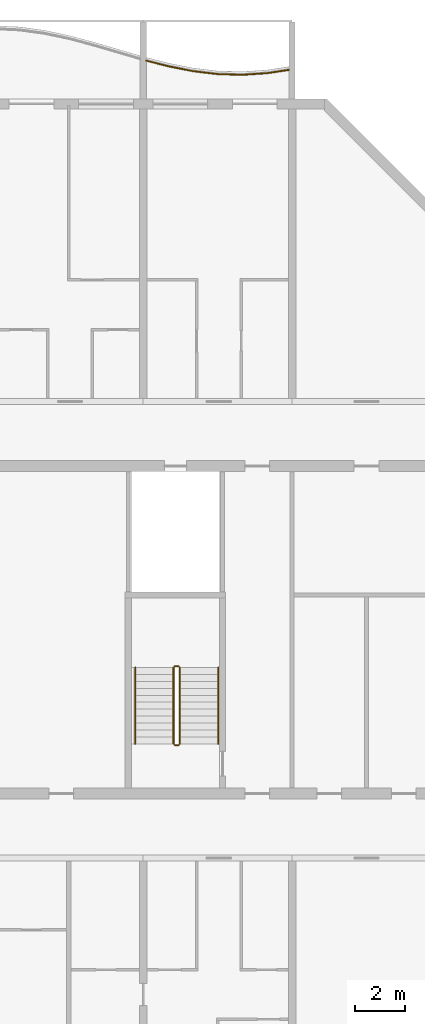
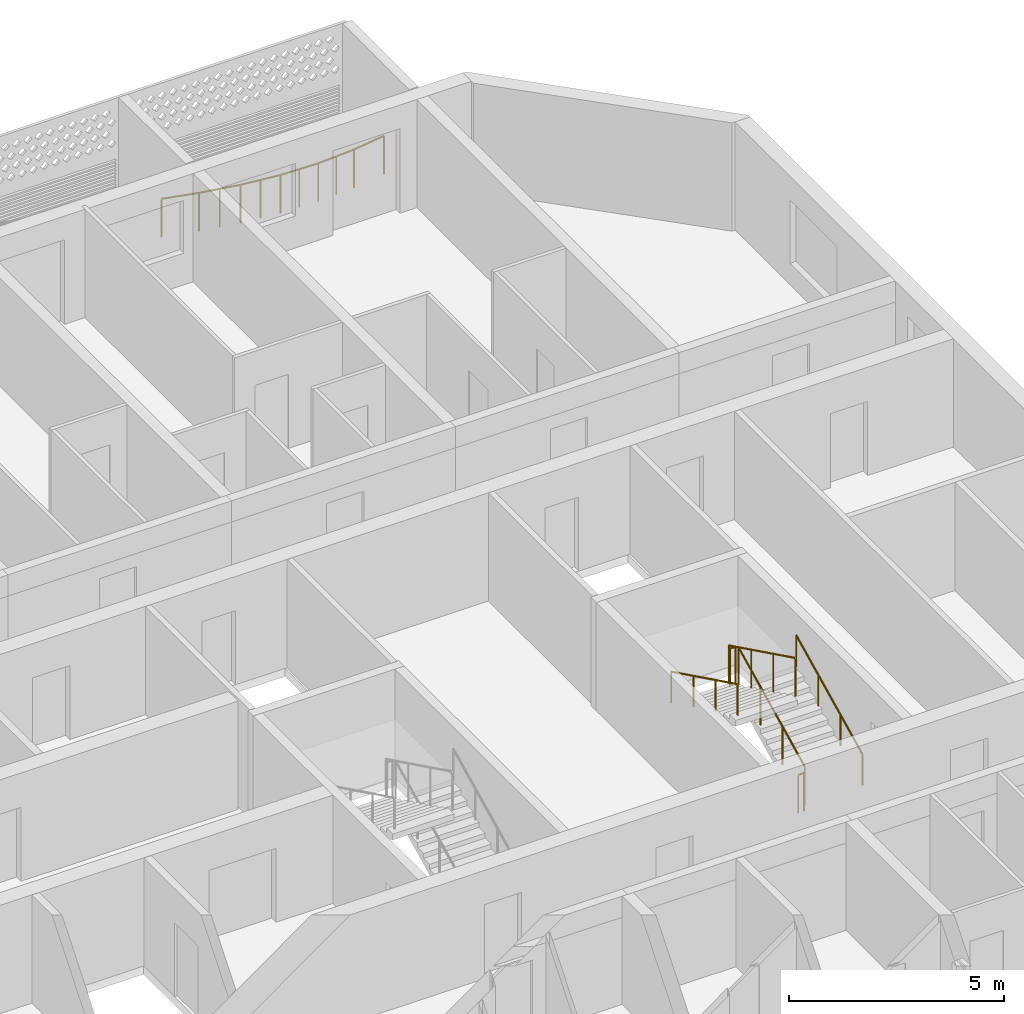
# One storey, part 30 of 31: 7 railings.
"""IFC4 building model written with IfcOpenShell, lengths in metres."""

from ifc_helpers import new_model, si_unit, direction, frame, origin, origin_2d, place, context, subcontext, project, spatial, circle, extrude, material, type_object, element, save


model = new_model("IFC4")

# Units and contexts
model_context = context("Model", 3, precision=1e-05, world=origin(), true_north=direction((0.0, 1.0)))
body_context = subcontext(model_context, "Body", "Model", "MODEL_VIEW")
ifc_project = project(units=[si_unit("LENGTHUNIT", "METRE"), si_unit("AREAUNIT", "SQUARE_METRE"), si_unit("VOLUMEUNIT", "CUBIC_METRE"), si_unit("PLANEANGLEUNIT", "RADIAN"), si_unit("MASSUNIT", "GRAM", prefix="KILO")], contexts=[model_context])

# Site, building, storey
site_placement = place(None, origin())
site = spatial("IfcSite", under=ifc_project, at=site_placement, CompositionType="ELEMENT")
building_placement = place(site_placement, origin())
building = spatial("IfcBuilding", under=site, at=building_placement, Name="Poui Terraces", CompositionType="ELEMENT")
storey_placement = place(building_placement, frame((0.0, 0.0, 148.800048828125)))
storey = spatial("IfcBuildingStorey", under=building, at=storey_placement, Name="L41", CompositionType="ELEMENT", Elevation=148.800048828125)

# Railings
ifc_material_1 = material(Name="Painted steel fretwork", Category="steel")
railing_type_1 = type_object("IfcRailingType", Name="BALCONY GUARD 1100", PredefinedType="GUARDRAIL", material=ifc_material_1)
railing_1_placement = place(storey_placement, frame((78.125, 44.143798828125, 0.0)))
element("IfcRailing", 1, at=railing_1_placement, inside=storey, type_object=railing_type_1, Name="BALCONY GUARD", PredefinedType="GUARDRAIL", context=body_context, shape_type="SweptSolid", body=[
    extrude(circle(Radius=0.02392578125, at=origin_2d()), frame((0.0, 0.0, 1.076171875), z_axis=(0.968727197282, -0.248128227429, 0.0), x_axis=(0.248128227429, 0.968727197282, 0.0)), (0.0, 0.0, 1.0), 0.9033203125),
    extrude(circle(Radius=0.02392578125, at=origin_2d()), frame((0.875, -0.22412109375, 1.076171875), z_axis=(0.980635885947, -0.19583988152, 0.0), x_axis=(0.19583988152, 0.980635885947, 0.0)), (0.0, 0.0, 1.0), 1.019775390625),
    extrude(circle(Radius=0.02392578125, at=origin_2d()), frame((1.875, -0.423828125, 1.076171875), z_axis=(0.992863067926, -0.119259919292, 0.0), x_axis=(0.119259919292, 0.992863067926, 0.0)), (0.0, 0.0, 1.0), 1.007080078125),
    extrude(circle(Radius=0.02392578125, at=origin_2d()), frame((2.875, -0.5439453125, 1.076171875), z_axis=(0.999612913888, -0.027821257857, 0.0), x_axis=(0.027821257857, 0.999612913888, 0.0)), (0.0, 0.0, 1.0), 1.00048828125),
    extrude(circle(Radius=0.02392578125, at=origin_2d()), frame((3.875, -0.57177734375, 1.076171875), z_axis=(0.997753790287, 0.066987864338, 0.0), x_axis=(-0.066987864338, 0.997753790287, 0.0)), (0.0, 0.0, 1.0), 1.002197265625),
    extrude(circle(Radius=0.02392578125, at=origin_2d()), frame((4.875, -0.504638671875, 1.076171875), z_axis=(0.988879613557, 0.148718223133, 0.0), x_axis=(-0.148718223133, 0.988879613557, 0.0)), (0.0, 0.0, 1.0), 0.884765625),
    extrude(circle(Radius=0.02099609375, at=origin_2d()), origin(), (0.0, 0.0, 1.0), 1.052001953125),
    extrude(circle(Radius=0.02099609375, at=origin_2d()), frame((0.875, -0.22412109375, 0.0)), (0.0, 0.0, 1.0), 1.052001953125),
    extrude(circle(Radius=0.02099609375, at=origin_2d()), frame((1.375, -0.323974609375, 0.0)), (0.0, 0.0, 1.0), 1.052001953125),
    extrude(circle(Radius=0.02099609375, at=origin_2d()), frame((1.875, -0.423828125, 0.0)), (0.0, 0.0, 1.0), 1.052001953125),
    extrude(circle(Radius=0.02099609375, at=origin_2d()), frame((2.375, -0.48388671875, 0.0)), (0.0, 0.0, 1.0), 1.052001953125),
    extrude(circle(Radius=0.02099609375, at=origin_2d()), frame((2.875, -0.5439453125, 0.0)), (0.0, 0.0, 1.0), 1.052001953125),
    extrude(circle(Radius=0.02099609375, at=origin_2d()), frame((3.375, -0.557861328125, 0.0)), (0.0, 0.0, 1.0), 1.052001953125),
    extrude(circle(Radius=0.02099609375, at=origin_2d()), frame((3.875, -0.57177734375, 0.0)), (0.0, 0.0, 1.0), 1.052001953125),
    extrude(circle(Radius=0.02099609375, at=origin_2d()), frame((4.375, -0.5380859375, 0.0)), (0.0, 0.0, 1.0), 1.052001953125),
    extrude(circle(Radius=0.02099609375, at=origin_2d()), frame((4.875, -0.504638671875, 0.0)), (0.0, 0.0, 1.0), 1.052001953125),
    extrude(circle(Radius=0.02099609375, at=origin_2d()), frame((5.75, -0.373046875, 0.0)), (0.0, 0.0, 1.0), 1.052001953125),
])
ifc_material_2 = material(Name="Galvanised steel balustrade", Category="steel")
railing_type_2 = type_object("IfcRailingType", Name="STAIR GUARD 1100", PredefinedType="GUARDRAIL", material=ifc_material_2)
railing_2_placement = place(storey_placement, frame((79.47509765625, 16.60009765625, 0.137451171875)))
element("IfcRailing", 2, at=railing_2_placement, inside=storey, type_object=railing_type_2, Name="L41 ST-E stair guard 1", PredefinedType="GUARDRAIL", context=body_context, shape_type="SweptSolid", body=[
    extrude(circle(Radius=0.02392578125, at=origin_2d()), frame((0.0, 0.0, 1.076171875), z_axis=(0.0, 0.897606190399, 0.440798283751), x_axis=(-1.0, 0.0, 0.0)), (0.0, 0.0, 1.0), 3.43115234375),
    extrude(circle(Radius=0.02099609375, at=origin_2d()), origin(), (0.0, 0.0, 1.0), 1.052001953125),
    extrude(circle(Radius=0.02099609375, at=origin_2d()), frame((0.0, 1.026611328125, 0.504150390625)), (0.0, 0.0, 1.0), 1.052001953125),
    extrude(circle(Radius=0.02099609375, at=origin_2d()), frame((0.0, 2.05322265625, 1.00830078125)), (0.0, 0.0, 1.0), 1.052001953125),
    extrude(circle(Radius=0.02099609375, at=origin_2d()), frame((0.0, 3.079833984375, 1.512451171875)), (0.0, 0.0, 1.0), 1.052001953125),
])
railing_3_placement = place(storey_placement, frame((79.425048828125, 19.72998046875, 1.64990234375)))
element("IfcRailing", 3, at=railing_3_placement, inside=storey, type_object=railing_type_2, Name="L41 ST-E stair guard 2", PredefinedType="GUARDRAIL", context=body_context, shape_type="SweptSolid", body=[
    extrude(circle(Radius=0.02392578125, at=origin_2d()), frame((0.0, 0.0, 1.076171875), z_axis=(-1.0, 0.0, 0.0), x_axis=(0.0, -1.0, 0.0)), (0.0, 0.0, 1.0), 0.150146484375),
    extrude(circle(Radius=0.02099609375, at=origin_2d()), origin(), (0.0, 0.0, 1.0), 1.052001953125),
    extrude(circle(Radius=0.02099609375, at=origin_2d()), frame((-0.150146484375, 0.0, 0.0)), (0.0, 0.0, 1.0), 1.052001953125),
])
railing_4_placement = place(storey_placement, frame((79.22509765625, 19.679931640625, 1.787353515625)))
element("IfcRailing", 4, at=railing_4_placement, inside=storey, type_object=railing_type_2, Name="L41 ST-E stair guard 3", PredefinedType="GUARDRAIL", context=body_context, shape_type="SweptSolid", body=[
    extrude(circle(Radius=0.02392578125, at=origin_2d()), frame((0.0, 0.0, 1.076171875), z_axis=(0.0, -0.897578036475, 0.440855609512), x_axis=(1.0, 0.0, 0.0)), (0.0, 0.0, 1.0), 3.43115234375),
    extrude(circle(Radius=0.02099609375, at=origin_2d()), origin(), (0.0, 0.0, 1.0), 1.052001953125),
    extrude(circle(Radius=0.02099609375, at=origin_2d()), frame((0.0, -1.026611328125, 0.504150390625)), (0.0, 0.0, 1.0), 1.052001953125),
    extrude(circle(Radius=0.02099609375, at=origin_2d()), frame((0.0, -2.05322265625, 1.008544921875)), (0.0, 0.0, 1.0), 1.052001953125),
    extrude(circle(Radius=0.02099609375, at=origin_2d()), frame((0.0, -3.079833984375, 1.5126953125)), (0.0, 0.0, 1.0), 1.052001953125),
])
railing_5_placement = place(storey_placement, frame((79.425048828125, 16.550048828125, 0.0)))
element("IfcRailing", 5, at=railing_5_placement, inside=storey, type_object=railing_type_2, Name="L41 ST-E stair guard 4", PredefinedType="GUARDRAIL", context=body_context, shape_type="SweptSolid", body=[
    extrude(circle(Radius=0.02392578125, at=origin_2d()), frame((0.0, 0.0, 1.076171875), z_axis=(-1.0, 0.0, 0.0), x_axis=(0.0, -1.0, 0.0)), (0.0, 0.0, 1.0), 0.150146484375),
    extrude(circle(Radius=0.02099609375, at=origin_2d()), origin(), (0.0, 0.0, 1.0), 1.052001953125),
    extrude(circle(Radius=0.02099609375, at=origin_2d()), frame((-0.150146484375, 0.0, 0.0)), (0.0, 0.0, 1.0), 1.052001953125),
])
ifc_material_3 = material(Name="Stainless steel handrail", Category="steel")
railing_type_3 = type_object("IfcRailingType", Name="STAIR HANDRAIL 900", PredefinedType="HANDRAIL", material=ifc_material_3)
railing_6_placement = place(storey_placement, frame((81.02490234375, 16.60009765625, 0.137451171875)))
element("IfcRailing", 6, at=railing_6_placement, inside=storey, type_object=railing_type_3, Name="L41 ST-E stair handrail 1", PredefinedType="HANDRAIL", context=body_context, shape_type="SweptSolid", body=[
    extrude(circle(Radius=0.02392578125, at=origin_2d()), frame((0.0, 0.0, 0.8759765625), z_axis=(0.0, 0.897606190399, 0.440798283751), x_axis=(-1.0, 0.0, 0.0)), (0.0, 0.0, 1.0), 3.43115234375),
    extrude(circle(Radius=0.02099609375, at=origin_2d()), origin(), (0.0, 0.0, 1.0), 0.851806640625),
    extrude(circle(Radius=0.02099609375, at=origin_2d()), frame((0.0, 1.026611328125, 0.504150390625)), (0.0, 0.0, 1.0), 0.851806640625),
    extrude(circle(Radius=0.02099609375, at=origin_2d()), frame((0.0, 2.05322265625, 1.00830078125)), (0.0, 0.0, 1.0), 0.851806640625),
    extrude(circle(Radius=0.02099609375, at=origin_2d()), frame((0.0, 3.079833984375, 1.512451171875)), (0.0, 0.0, 1.0), 0.851806640625),
])
railing_7_placement = place(storey_placement, frame((77.675048828125, 19.679931640625, 1.787353515625)))
element("IfcRailing", 7, at=railing_7_placement, inside=storey, type_object=railing_type_3, Name="L41 ST-E stair handrail 2", PredefinedType="HANDRAIL", context=body_context, shape_type="SweptSolid", body=[
    extrude(circle(Radius=0.02392578125, at=origin_2d()), frame((0.0, 0.0, 0.8759765625), z_axis=(0.0, -0.897578036475, 0.440855609512), x_axis=(1.0, 0.0, 0.0)), (0.0, 0.0, 1.0), 3.43115234375),
    extrude(circle(Radius=0.02099609375, at=origin_2d()), origin(), (0.0, 0.0, 1.0), 0.851806640625),
    extrude(circle(Radius=0.02099609375, at=origin_2d()), frame((0.0, -1.026611328125, 0.504150390625)), (0.0, 0.0, 1.0), 0.851806640625),
    extrude(circle(Radius=0.02099609375, at=origin_2d()), frame((0.0, -2.05322265625, 1.008544921875)), (0.0, 0.0, 1.0), 0.851806640625),
    extrude(circle(Radius=0.02099609375, at=origin_2d()), frame((0.0, -3.079833984375, 1.5126953125)), (0.0, 0.0, 1.0), 0.851806640625),
])

save(model, "model.ifc")
